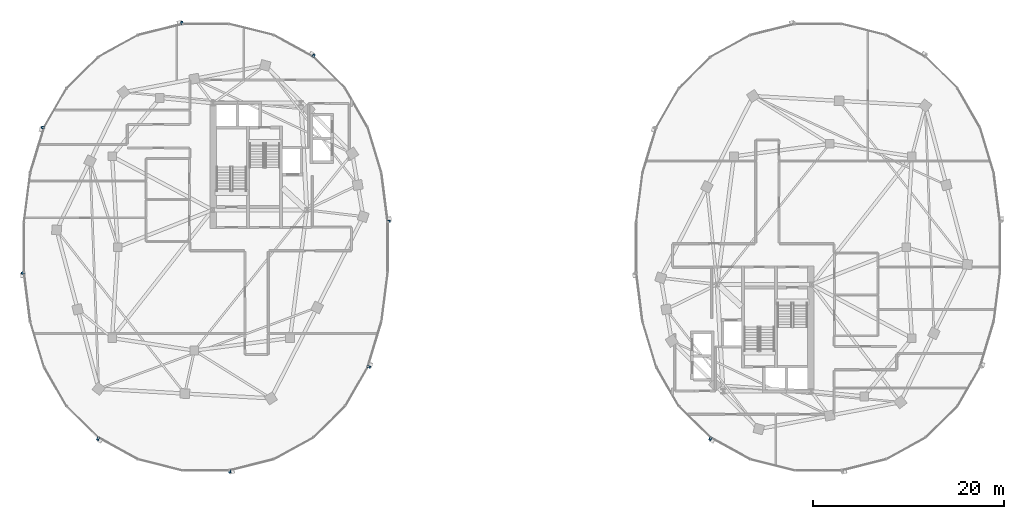
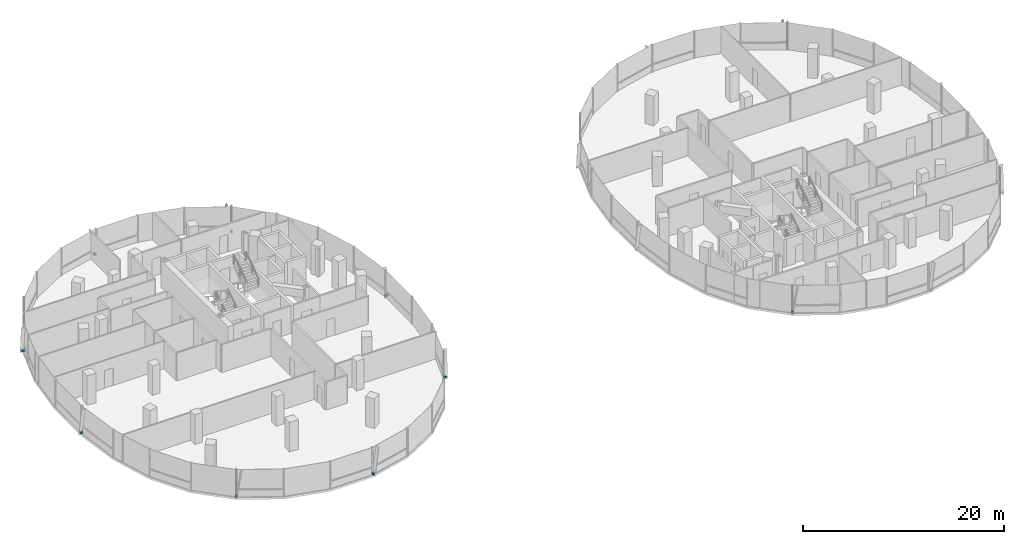
# One storey, part 16 of 22: 9 discrete accessories.
"""IFC4 building model written with IfcOpenShell, lengths in metres."""

from ifc_helpers import new_model, si_unit, direction, frame, origin, origin_2d, place, context, subcontext, project, spatial, rectangle, extrude, material, type_object, element, save


model = new_model("IFC4")

# Units and contexts
model_context = context("Model", 3, precision=1e-05, world=origin(), true_north=direction((0.0, 1.0)))
body_context = subcontext(model_context, "Body", "Model", "MODEL_VIEW")
ifc_project = project(units=[si_unit("LENGTHUNIT", "METRE"), si_unit("AREAUNIT", "SQUARE_METRE"), si_unit("VOLUMEUNIT", "CUBIC_METRE"), si_unit("PLANEANGLEUNIT", "RADIAN"), si_unit("MASSUNIT", "GRAM", prefix="KILO"), si_unit("THERMODYNAMICTEMPERATUREUNIT", "KELVIN"), si_unit("POWERUNIT", "WATT")], contexts=[model_context])

# Site, building, storey
site_placement = place(None, origin())
site = spatial("IfcSite", under=ifc_project, at=site_placement, CompositionType="ELEMENT")
building_placement = place(site_placement, origin())
building = spatial("IfcBuilding", under=site, at=building_placement, Name="Cundina Bronze Exchange", CompositionType="ELEMENT")
storey_placement = place(building_placement, frame((0.0, 0.0, 147.60009765625)))
storey = spatial("IfcBuildingStorey", under=building, at=storey_placement, Name="L38", CompositionType="ELEMENT", Elevation=147.60009765625)

# Discrete accessories
ifc_material = material(Name="Anodised Bronze Aluminium 6063-T6", Category="aluminium")
discrete_accessory_type = type_object("IfcDiscreteAccessoryType", Name="ACC-BRK-FIN", PredefinedType="BRACKET", material=ifc_material)
for number, where, z_axis, x_axis, name in (
    (1, (-12.874267578125, 2.69189453125, 0.10009765625), (0.0, 0.0, 1.0), (-0.126475984253, 0.9919696696, 0.0), "L38 Fin Support Bracket 1"),
    (2, (-20.733154296875, 20.015380859375, 0.10009765625), (0.0, 0.0, 1.0), (-0.875869093438, 0.482548786301, 0.0), "L38 Fin Support Bracket 5"),
    (3, (-34.492919921875, 23.44970703125, 0.10009765625), (0.0, 0.0, 1.0), (-0.970092713791, -0.242734683656, 0.0), "L38 Fin Support Bracket 1"),
    (4, (-49.0458984375, 12.511962890625, 0.10009765625), (0.0, 0.0, 1.0), (-0.290050843957, -0.957011237092, 0.0), "L38 Fin Support Bracket 5"),
    (5, (-51.125732421875, -2.69189453125, 0.10009765625), (0.0, 0.0, 1.0), (0.126475984253, -0.9919696696, 0.0), "L38 Fin Support Bracket 1"),
    (6, (-43.266845703125, -20.015380859375, 0.10009765625), (0.0, 0.0, 1.0), (0.875869093438, -0.482548786301, 0.0), "L38 Fin Support Bracket 5"),
    (7, (-29.507080078125, -23.44970703125, 0.10009765625), (0.0, 0.0, 1.0), (0.970092713791, 0.242734683656, 0.0), "L38 Fin Support Bracket 1"),
    (8, (-14.9541015625, -12.511962890625, 0.10009765625), (0.0, 0.0, 1.0), (0.290050843957, 0.957011237092, 0.0), "L38 Fin Support Bracket 5"),
    (9, (20.733154296875, -20.015380859375, 0.10009765625), (0.0, 0.0, 1.0), (0.875869093438, -0.482548786301, 0.0), "L38 Fin Support Bracket 5"),
):
    element("IfcDiscreteAccessory", number, at=place(storey_placement, frame(where, z_axis=z_axis, x_axis=x_axis)), inside=storey, type_object=discrete_accessory_type, Name=name, PredefinedType="BRACKET", context=body_context, shape_type="SweptSolid", body=[
        extrude(rectangle(XDim=0.219970703125, YDim=0.320068359375, at=origin_2d()), origin(), (0.0, 0.0, 1.0), 0.239990234375),
    ])

save(model, "model.ifc")
